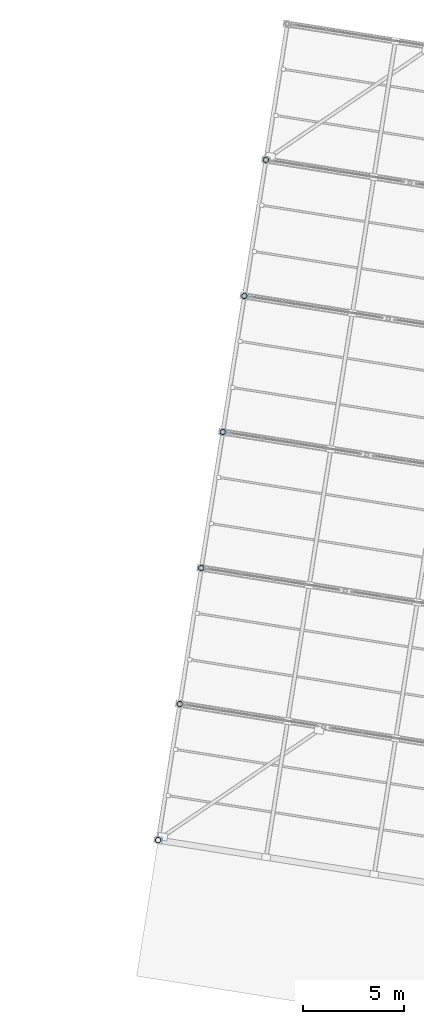
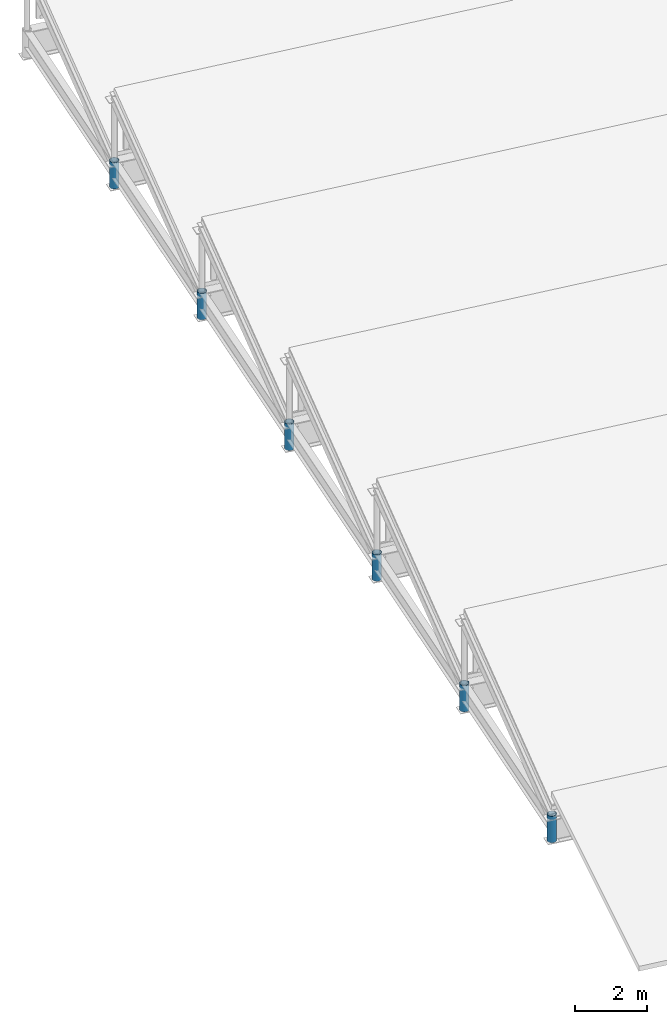
# One storey, part 8 of 65: 6 columns.
"""IFC4 building model written with IfcOpenShell, lengths in metres."""

from ifc_helpers import new_model, si_unit, direction, frame, origin, origin_2d, place, context, subcontext, project, spatial, hollow_circle, extrude, material, material_profile, profile_set, type_object, element, save


model = new_model("IFC4")

# Units and contexts
model_context = context("Model", 3, precision=1e-05, world=origin(), true_north=direction((0.0, 1.0)))
body_context = subcontext(model_context, "Body", "Model", "MODEL_VIEW")
ifc_project = project(units=[si_unit("LENGTHUNIT", "METRE"), si_unit("AREAUNIT", "SQUARE_METRE"), si_unit("VOLUMEUNIT", "CUBIC_METRE"), si_unit("PLANEANGLEUNIT", "RADIAN"), si_unit("MASSUNIT", "GRAM", prefix="KILO")], contexts=[model_context])

# Site, building, storey
site_placement = place(None, origin())
site = spatial("IfcSite", under=ifc_project, at=site_placement, CompositionType="ELEMENT")
building_placement = place(site_placement, origin())
building = spatial("IfcBuilding", under=site, at=building_placement, Name="Cinderway Yard Community Centre", CompositionType="ELEMENT")
storey_placement = place(building_placement, frame((0.0, 0.0, 24.300048828125)))
storey = spatial("IfcBuildingStorey", under=building, at=storey_placement, Name="RF", CompositionType="ELEMENT", Elevation=24.300048828125)

# Columns
ifc_material = material(Name="Steel S355", Category="steel")
ifc_material_profile = material_profile(ifc_material, hollow_circle(Radius=0.136474609375, WallThickness=0.012451171875, at=origin_2d()), Name="Steel S355")
ifc_profile_set = profile_set([ifc_material_profile], Name="Steel S355")
column_type = type_object("IfcColumnType", Name="STR-POST-CHS273", PredefinedType="PILASTER", material=ifc_profile_set)
for number, where, z_axis, x_axis, name in (
    (1, (118.0, 38.0, -11.400146484375), (0.0, 0.0, 1.0), (1.0, 0.0, 0.0), "Sports Hall roof post W01"),
    (2, (119.06396484375, 44.716064453125, -11.400146484375), (0.0, 0.0, 1.0), (1.0, 0.0, 0.0), "Sports Hall roof post W02"),
    (3, (120.1279296875, 51.43310546875, -11.400146484375), (0.0, 0.0, 1.0), (1.0, 0.0, 0.0), "Sports Hall roof post W03"),
    (4, (121.19091796875, 58.14892578125, -11.400146484375), (0.0, 0.0, 1.0), (1.0, 0.0, 0.0), "Sports Hall roof post W04"),
    (5, (122.2548828125, 64.864990234375, -11.400146484375), (0.0, 0.0, 1.0), (1.0, 0.0, 0.0), "Sports Hall roof post W05"),
    (6, (123.319091796875, 71.5810546875, -11.400146484375), (0.0, 0.0, 1.0), (1.0, 0.0, 0.0), "Sports Hall roof post W06"),
):
    element("IfcColumn", number, at=place(storey_placement, frame(where, z_axis=z_axis, x_axis=x_axis)), inside=storey, type_object=column_type, Name=name, PredefinedType="PILASTER", context=body_context, shape_type="SweptSolid", body=[
        extrude(hollow_circle(Radius=0.136474609375, WallThickness=0.012451171875, at=origin_2d()), origin(), (0.0, 0.0, 1.0), 0.900146484375),
    ])

save(model, "model.ifc")
